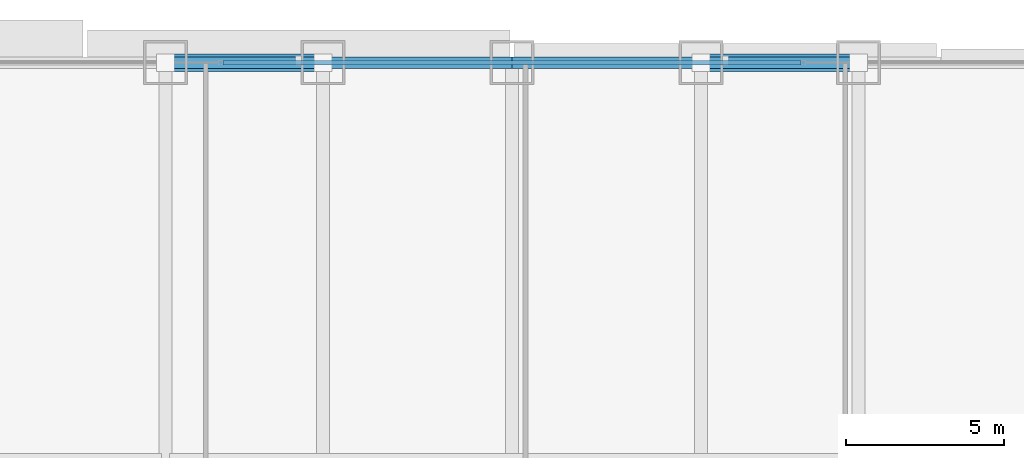
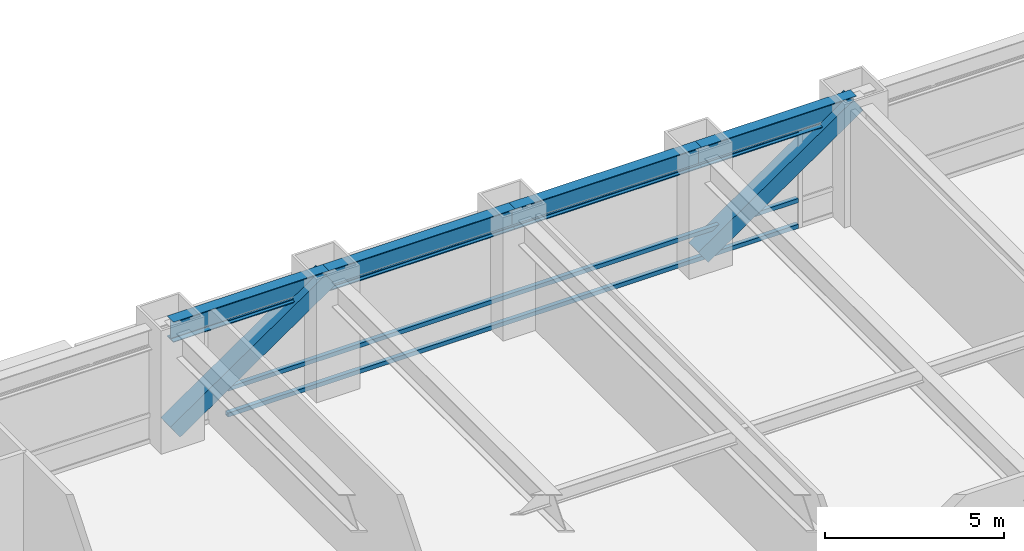
# One storey, part 20 of 31: 5 members, 4 beams, 1 element without a shape of its own.
"""IFC4 building model written with IfcOpenShell, lengths in metres."""

from ifc_helpers import new_model, si_unit, direction, frame, origin, origin_2d, place, context, subcontext, project, spatial, hollow_rectangle, i_section, extrude, source, transform, mapped, material, material_profile, profile_set, type_object, element, aggregate, save


model = new_model("IFC4")

# Units and contexts
model_context = context("Model", 3, precision=1e-05, world=origin(), true_north=direction((0.0, 1.0)))
body_context = subcontext(model_context, "Body", "Model", "MODEL_VIEW")
ifc_project = project(units=[si_unit("LENGTHUNIT", "METRE"), si_unit("AREAUNIT", "SQUARE_METRE"), si_unit("VOLUMEUNIT", "CUBIC_METRE"), si_unit("PLANEANGLEUNIT", "RADIAN"), si_unit("MASSUNIT", "GRAM", prefix="KILO")], contexts=[model_context])

# Site, building, storey
site_placement = place(None, origin())
site = spatial("IfcSite", under=ifc_project, at=site_placement, CompositionType="ELEMENT")
building_placement = place(site_placement, origin())
building = spatial("IfcBuilding", under=site, at=building_placement, Name="Khorayat Bourse Tower", CompositionType="ELEMENT")
storey_placement = place(building_placement, frame((0.0, 0.0, 32.60009765625)))
storey = spatial("IfcBuildingStorey", under=building, at=storey_placement, Name="L06", CompositionType="ELEMENT", Elevation=32.60009765625)

# Beams
ifc_material_1 = material(Name="Steel ASTM A992 Grade 50", Category="steel")
ifc_material_profile_1 = material_profile(ifc_material_1, i_section(OverallWidth=0.35498046875, OverallDepth=0.695068359375, WebThickness=0.015380859375, FlangeThickness=0.02490234375, FilletRadius=0.01806640625, at=origin_2d()), Name="W690X217")
ifc_profile_set_1 = profile_set([ifc_material_profile_1], Name="Steel ASTM A992 Grade 50")
beam_type = type_object("IfcBeamType", Name="BM-SPAN-690", PredefinedType="SPANDREL", material=ifc_profile_set_1)
shared_shape_1 = source(origin(), body_context, "Body", "SweptSolid", [
    extrude(i_section(OverallWidth=0.35498046875, OverallDepth=0.695068359375, WebThickness=0.015380859375, FlangeThickness=0.02490234375, FilletRadius=0.01806640625, at=origin_2d()), origin(), (0.0, 0.0, 1.0), 5.0),
])
for number, where, z_axis, x_axis, name in (
    (1, (6.0, 32.0, 3.59228515625), (1.0, 0.0, 0.0), (0.0, 1.0, 0.0), "L06 BM-SPAN-690 BM-L06-SPN-046"),
    (2, (-11.0, 32.0, 3.59228515625), (1.0, 0.0, 0.0), (0.0, 1.0, 0.0), "L06 BM-SPAN-690 BM-L06-SPN-049"),
):
    element("IfcBeam", number, at=place(storey_placement, frame(where, z_axis=z_axis, x_axis=x_axis)), inside=storey, type_object=beam_type, Name=name, PredefinedType="SPANDREL", context=body_context, shape_type="MappedRepresentation", body=[
        mapped(shared_shape_1, transform((0.0, 0.0, 0.0), scale=1.0)),
    ])
shared_shape_2 = source(origin(), body_context, "Body", "SweptSolid", [
    extrude(i_section(OverallWidth=0.35498046875, OverallDepth=0.695068359375, WebThickness=0.015380859375, FlangeThickness=0.02490234375, FilletRadius=0.01806640625, at=origin_2d()), origin(), (0.0, 0.0, 1.0), 6.0),
])
for number, where, z_axis, x_axis, name in (
    (3, (0.0, 32.0, 3.59228515625), (1.0, 0.0, 0.0), (0.0, 1.0, 0.0), "L06 BM-SPAN-690 BM-L06-SPN-047"),
    (4, (-6.0, 32.0, 3.59228515625), (1.0, 0.0, 0.0), (0.0, 1.0, 0.0), "L06 BM-SPAN-690 BM-L06-SPN-048"),
):
    element("IfcBeam", number, at=place(storey_placement, frame(where, z_axis=z_axis, x_axis=x_axis)), inside=storey, type_object=beam_type, Name=name, PredefinedType="SPANDREL", context=body_context, shape_type="MappedRepresentation", body=[
        mapped(shared_shape_2, transform((0.0, 0.0, 0.0), scale=1.0)),
    ])

# Members
ifc_material_2 = material(Name="Steel EN 10025-4 S460M", Category="steel")
ifc_material_profile_2 = material_profile(ifc_material_2, hollow_rectangle(XDim=0.550048828125, YDim=0.550048828125, WallThickness=0.031982421875, at=origin_2d()), Name="HSS 550x550x32")
ifc_profile_set_2 = profile_set([ifc_material_profile_2], Name="Steel EN 10025-4 S460M")
member_type_1 = type_object("IfcMemberType", Name="MBR-TUBE-550", PredefinedType="BRACE", material=ifc_profile_set_2)
shared_shape_3 = source(origin(), body_context, "Body", "SweptSolid", [
    extrude(hollow_rectangle(XDim=0.550048828125, YDim=0.550048828125, WallThickness=0.031982421875, at=origin_2d()), origin(), (0.0, 0.0, 1.0), 6.069091796875),
])
for number, where, z_axis, x_axis, name in (
    (5, (-11.0, 32.0, 0.25), (0.823854080622, 0.0, 0.566801952928), (0.0, 1.0, 0.0), "L06 Perimeter Tube Brace 03"),
    (6, (6.0, 32.0, 0.25), (0.823854080622, 0.0, 0.566801952928), (0.0, 1.0, 0.0), "L06 Perimeter Tube Brace 04"),
):
    element("IfcMember", number, at=place(storey_placement, frame(where, z_axis=z_axis, x_axis=x_axis)), inside=storey, type_object=member_type_1, Name=name, PredefinedType="BRACE", context=body_context, shape_type="MappedRepresentation", body=[
        mapped(shared_shape_3, transform((0.0, 0.0, 0.0), scale=1.0)),
    ])

# Curtain wall, members
ifc_material_3 = material(Name="Aluminium EN AW-6063 T6", Category="aluminium")
curtain_wall_type = type_object("IfcCurtainWallType", Name="CW-SYS-02", PredefinedType="NOTDEFINED", material=ifc_material_3)
curtain_wall_placement = place(storey_placement, origin())
curtain_wall = element("IfcCurtainWall", 7, at=curtain_wall_placement, inside=storey, type_object=curtain_wall_type, Name="L06 Curtain Wall CW-L06-N1", PredefinedType="NOTDEFINED")
ifc_material_profile_3 = material_profile(ifc_material_3, hollow_rectangle(XDim=0.139892578125, YDim=0.139892578125, WallThickness=0.006103515625, at=origin_2d()), Name="ALU 140x140x6")
ifc_profile_set_3 = profile_set([ifc_material_profile_3], Name="Aluminium EN AW-6063 T6")
member_type_2 = type_object("IfcMemberType", Name="CWT-HORZ-140", PredefinedType="USERDEFINED", material=ifc_profile_set_3)
shared_shape_4 = source(origin(), body_context, "Body", "SweptSolid", [
    extrude(hollow_rectangle(XDim=0.139892578125, YDim=0.139892578125, WallThickness=0.006103515625, at=origin_2d()), origin(), (0.0, 0.0, 1.0), 18.35986328125),
])
member_1_placement = place(storey_placement, frame((-9.179931640625, 32.0, 0.06982421875), z_axis=(1.0, 0.0, 0.0), x_axis=(0.0, 1.0, 0.0)))
member_1 = element("IfcMember", 8, at=member_1_placement, type_object=member_type_2, Name="CW-L06-N1 Horizontal Transom 2-1", ObjectType="TRANSOM", PredefinedType="USERDEFINED", context=body_context, shape_type="MappedRepresentation", body=[
    mapped(shared_shape_4, transform((0.0, 0.0, 0.0), scale=1.0)),
])
member_2_placement = place(storey_placement, frame((-9.179931640625, 32.0, 0.949951171875), z_axis=(1.0, 0.0, 0.0), x_axis=(0.0, 1.0, 0.0)))
member_2 = element("IfcMember", 9, at=member_2_placement, type_object=member_type_2, Name="CW-L06-N1 Horizontal Transom 2-2", ObjectType="TRANSOM", PredefinedType="USERDEFINED", context=body_context, shape_type="MappedRepresentation", body=[
    mapped(shared_shape_4, transform((0.0, 0.0, 0.0), scale=1.0)),
])
member_3_placement = place(storey_placement, frame((-9.179931640625, 32.0, 3.219970703125), z_axis=(1.0, 0.0, 0.0), x_axis=(0.0, 1.0, 0.0)))
member_3 = element("IfcMember", 10, at=member_3_placement, type_object=member_type_2, Name="CW-L06-N1 Horizontal Transom 2-3", ObjectType="TRANSOM", PredefinedType="USERDEFINED", context=body_context, shape_type="MappedRepresentation", body=[
    mapped(shared_shape_4, transform((0.0, 0.0, 0.0), scale=1.0)),
])
aggregate(curtain_wall, [member_1, member_2, member_3])

save(model, "model.ifc")
